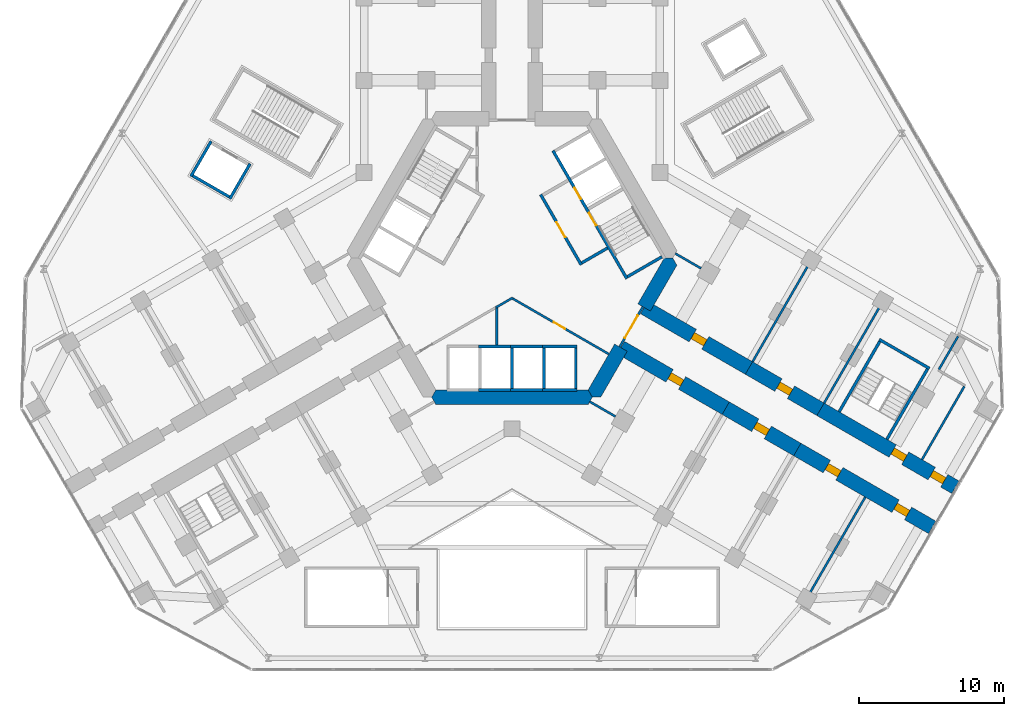
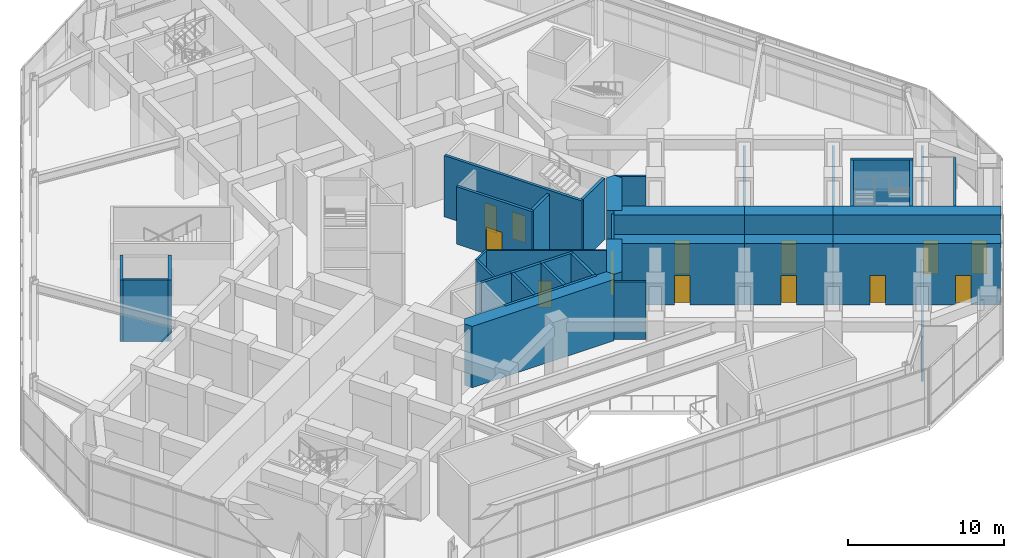
# One storey, part 16 of 22: 39 walls, 13 doors, 13 openings.
"""IFC4 building model written with IfcOpenShell, lengths in metres."""

from ifc_helpers import new_model, si_unit, direction, frame, frame_2d, origin, place, context, subcontext, project, spatial, polyline, rectangle, outline, extrude, material, layer, layer_set, type_object, element, fill, save


model = new_model("IFC4")

# Units and contexts
model_context = context("Model", 3, precision=1e-05, world=origin(), true_north=direction((0.0, 1.0)))
body_context = subcontext(model_context, "Body", "Model", "MODEL_VIEW")
ifc_project = project(units=[si_unit("LENGTHUNIT", "METRE"), si_unit("AREAUNIT", "SQUARE_METRE"), si_unit("VOLUMEUNIT", "CUBIC_METRE"), si_unit("PLANEANGLEUNIT", "RADIAN"), si_unit("MASSUNIT", "GRAM", prefix="KILO")], contexts=[model_context])

# Site, building, storey
site_placement = place(None, origin())
site = spatial("IfcSite", under=ifc_project, at=site_placement, CompositionType="ELEMENT")
building_placement = place(site_placement, origin())
building = spatial("IfcBuilding", under=site, at=building_placement, Name="Kosmar Iwan School Tower", CompositionType="ELEMENT")
storey_placement = place(building_placement, frame((0.0, 0.0, 15.60009765625)))
storey = spatial("IfcBuildingStorey", under=building, at=storey_placement, Name="L03", CompositionType="ELEMENT", Elevation=15.60009765625)

# Walls
ifc_material_1 = material(Name="Gypsum board on steel studs, fire-rated", Category="steel")
ifc_layer_1 = layer(ifc_material_1, 0.14990234375)
ifc_layer_set_1 = layer_set([ifc_layer_1], Name="Core room partition 150")
wall_type_1 = type_object("IfcWallType", Name="Core room partition 150", PredefinedType="PARTITIONING", material=ifc_layer_set_1)
wall_1_placement = place(storey_placement, frame((-1.046875, -6.0048828125, 0.0), z_axis=(0.0, 0.0, 1.0), x_axis=(0.0, 1.0, 0.0)))
element("IfcWall", 1, at=wall_1_placement, inside=storey, type_object=wall_type_1, Name="Core room partition L03-CW4", PredefinedType="PARTITIONING", context=body_context, shape_type="SweptSolid", body=[
    extrude(rectangle(XDim=2.704345703125, YDim=0.14990234375, at=frame_2d((1.35205078125, 0.0))), origin(), (0.0, 0.0, 1.0), 4.5),
])
wall_2_placement = place(storey_placement, frame((-1.11181640625, -3.4130859375, 0.0), z_axis=(0.0, 0.0, 1.0), x_axis=(0.866089843618, 0.499888370321, 0.0)))
element("IfcWall", 2, at=wall_2_placement, inside=storey, type_object=wall_type_1, Name="Core room partition L03-CW5", PredefinedType="PARTITIONING", context=body_context, shape_type="SweptSolid", body=[
    extrude(rectangle(XDim=1.358642578125, YDim=0.14990234375, at=frame_2d((0.67919921875, 0.0))), origin(), (0.0, 0.0, 1.0), 4.5),
])

# Wall, opening, door
wall_3_placement = place(storey_placement, frame((-0.06494140625, -2.73388671875, 0.0), z_axis=(0.0, 0.0, 1.0), x_axis=(0.866030469089, -0.499991226532, 0.0)))
wall_3 = element("IfcWall", 3, at=wall_3_placement, inside=storey, type_object=wall_type_1, Name="Core room partition L03-CW6", PredefinedType="PARTITIONING", context=body_context, shape_type="SweptSolid", body=[
    extrude(rectangle(XDim=7.784423828125, YDim=0.14990234375, at=frame_2d((3.89208984375, 0.0))), origin(), (0.0, 0.0, 1.0), 4.5),
])
opening_1_placement = place(wall_3_placement, frame((3.402099609375, 0.0, 0.0)))
opening_1 = element("IfcOpeningElement", 4, at=opening_1_placement, cuts=wall_3, Name="Opening D14", PredefinedType="OPENING", context=body_context, shape_type="SweptSolid", body=[
    extrude(rectangle(XDim=0.89990234375, YDim=2.10009765625, at=frame_2d((0.449951171875, 1.050048828125))), frame((0.0, 0.0869140625, 0.0), z_axis=(0.0, -1.0, 0.0), x_axis=(1.0, 0.0, 0.0)), (0.0, 0.0, 1.0), 0.173828125),
])
ifc_material_2 = material(Name="Timber fire door in steel frame", Category="steel")
door_type_1 = type_object("IfcDoorType", Name="Core room door 900x2100", OperationType="SINGLE_SWING_LEFT", PredefinedType="DOOR", material=ifc_material_2)
door_1_placement = place(opening_1_placement, origin())
door_1 = element("IfcDoor", 5, at=door_1_placement, inside=storey, type_object=door_type_1, Name="First aid room door L03 3", OperationType="SINGLE_SWING_LEFT", OverallHeight=2.10009765625, OverallWidth=0.89990234375, PredefinedType="DOOR", context=body_context, shape_type="SweptSolid", body=[
    extrude(rectangle(XDim=0.89990234375, YDim=2.10009765625, at=frame_2d((0.449951171875, 1.050048828125))), frame((0.0, 0.02490234375, 0.0), z_axis=(0.0, -1.0, 0.0), x_axis=(1.0, 0.0, 0.0)), (0.0, 0.0, 1.0), 0.050048828125),
])
fill(opening_1, door_1)

# Walls
ifc_material_3 = material(Name="Concrete C50/60", Category="concrete")
ifc_layer_2 = layer(ifc_material_3, 1.0)
ifc_layer_set_2 = layer_set([ifc_layer_2], Name="Core wall 1000")
wall_type_2 = type_object("IfcWallType", Name="Core wall 1000", PredefinedType="SHEAR", material=ifc_layer_set_2)
wall_4_placement = place(storey_placement, origin())
element("IfcWall", 6, at=wall_4_placement, inside=storey, type_object=wall_type_2, Name="Core wall F270", PredefinedType="SHEAR", context=body_context, shape_type="SweptSolid", body=[
    extrude(outline(polyline([(-5.25390625, -10.10009765625), (5.25390625, -10.10009765625), (5.54248046875, -9.60009765625), (5.25390625, -9.10009765625), (-5.25390625, -9.10009765625), (-5.54248046875, -9.60009765625), (-5.25390625, -10.10009765625)])), origin(), (0.0, 0.0, 1.0), 4.7998046875),
])
wall_5_placement = place(storey_placement, origin())
element("IfcWall", 7, at=wall_5_placement, inside=storey, type_object=wall_type_2, Name="Core wall F330a", PredefinedType="SHEAR", context=body_context, shape_type="SweptSolid", body=[
    extrude(outline(polyline([(5.54248046875, -9.60009765625), (6.119873046875, -9.60009765625), (7.94677734375, -6.435546875), (7.080810546875, -5.935546875), (5.25390625, -9.10009765625), (5.54248046875, -9.60009765625)])), origin(), (0.0, 0.0, 1.0), 4.7998046875),
])
wall_6_placement = place(storey_placement, origin())
element("IfcWall", 8, at=wall_6_placement, inside=storey, type_object=wall_type_2, Name="Core wall F330b", PredefinedType="SHEAR", context=body_context, shape_type="SweptSolid", body=[
    extrude(outline(polyline([(9.546875, -3.664306640625), (11.373779296875, -0.5), (11.085205078125, 0.0), (10.5078125, 0.0), (8.680908203125, -3.164306640625), (9.546875, -3.664306640625)])), origin(), (0.0, 0.0, 1.0), 4.7998046875),
])

# Wall, opening, door
ifc_material_4 = material(Name="Concrete C50/60", Category="concrete")
ifc_layer_3 = layer(ifc_material_4, 1.0)
ifc_layer_set_3 = layer_set([ifc_layer_3], Name="Corridor buttress wall 1000")
wall_type_3 = type_object("IfcWallType", Name="Corridor buttress wall 1000", PredefinedType="SHEAR", material=ifc_layer_set_3)
wall_7_placement = place(storey_placement, frame((9.11376953125, -3.414306640625, 0.0), z_axis=(0.0, 0.0, 1.0), x_axis=(0.866026859388, -0.499997478812, 0.0)))
wall_7 = element("IfcWall", 9, at=wall_7_placement, inside=storey, type_object=wall_type_3, Name="Corridor wall CL", PredefinedType="SHEAR", context=body_context, shape_type="SweptSolid", body=[
    extrude(rectangle(XDim=8.35009765625, YDim=1.0, at=frame_2d((4.175048828125, 0.0))), origin(), (0.0, 0.0, 1.0), 4.7998046875),
])
opening_2_placement = place(wall_7_placement, frame((3.875, 0.0, 0.0)))
opening_2 = element("IfcOpeningElement", 10, at=opening_2_placement, cuts=wall_7, Name="Opening D4", PredefinedType="OPENING", context=body_context, shape_type="SweptSolid", body=[
    extrude(rectangle(XDim=1.0, YDim=2.300048828125, at=frame_2d((0.5, 1.14990234375))), frame((0.0, 0.511962890625, 0.0), z_axis=(0.0, -1.0, 0.0), x_axis=(1.0, 0.0, 0.0)), (0.0, 0.0, 1.0), 1.02392578125),
])
ifc_material_5 = material(Name="Timber fire door with vision panel", Category="wood")
door_type_2 = type_object("IfcDoorType", Name="Classroom door 1000x2300", OperationType="SINGLE_SWING_LEFT", PredefinedType="DOOR", material=ifc_material_5)
door_2_placement = place(opening_2_placement, origin())
door_2 = element("IfcDoor", 11, at=door_2_placement, inside=storey, type_object=door_type_2, Name="Secondary classroom CL1 door L03-CL1", OperationType="SINGLE_SWING_RIGHT", OverallHeight=2.300048828125, OverallWidth=1.0, PredefinedType="DOOR", context=body_context, shape_type="SweptSolid", body=[
    extrude(rectangle(XDim=1.0, YDim=2.300048828125, at=frame_2d((0.5, 1.14990234375))), frame((0.0, 0.25, 0.0), z_axis=(0.0, -1.0, 0.0), x_axis=(1.0, 0.0, 0.0)), (0.0, 0.0, 1.0), 0.5),
])
fill(opening_2, door_2)

wall_8_placement = place(storey_placement, frame((16.34521484375, -7.58935546875, 0.0), z_axis=(0.0, 0.0, 1.0), x_axis=(0.866015111908, -0.50001782563, 0.0)))
wall_8 = element("IfcWall", 12, at=wall_8_placement, inside=storey, type_object=wall_type_3, Name="Corridor wall CL bay 2", PredefinedType="SHEAR", context=body_context, shape_type="SweptSolid", body=[
    extrude(rectangle(XDim=5.699951171875, YDim=1.0, at=frame_2d((2.85009765625, 0.0))), origin(), (0.0, 0.0, 1.0), 4.7998046875),
])
opening_3_placement = place(wall_8_placement, frame((2.35009765625, 0.0, 0.0)))
opening_3 = element("IfcOpeningElement", 13, at=opening_3_placement, cuts=wall_8, Name="Opening D4", PredefinedType="OPENING", context=body_context, shape_type="SweptSolid", body=[
    extrude(rectangle(XDim=1.0, YDim=2.300048828125, at=frame_2d((0.5, 1.14990234375))), frame((0.0, 0.511962890625, 0.0), z_axis=(0.0, -1.0, 0.0), x_axis=(1.0, 0.0, 0.0)), (0.0, 0.0, 1.0), 1.02392578125),
])
door_3_placement = place(opening_3_placement, origin())
door_3 = element("IfcDoor", 14, at=door_3_placement, inside=storey, type_object=door_type_2, Name="Secondary classroom CL2 door L03-CL2", OperationType="SINGLE_SWING_LEFT", OverallHeight=2.300048828125, OverallWidth=1.0, PredefinedType="DOOR", context=body_context, shape_type="SweptSolid", body=[
    extrude(rectangle(XDim=1.0, YDim=2.300048828125, at=frame_2d((0.5, 1.14990234375))), frame((0.0, 0.25, 0.0), z_axis=(0.0, -1.0, 0.0), x_axis=(1.0, 0.0, 0.0)), (0.0, 0.0, 1.0), 0.5),
])
fill(opening_3, door_3)

# Wall, openings, doors
wall_9_placement = place(storey_placement, frame((21.281494140625, -10.439453125, 0.0), z_axis=(0.0, 0.0, 1.0), x_axis=(0.866032345022, -0.499987977232, 0.0)))
wall_9 = element("IfcWall", 15, at=wall_9_placement, inside=storey, type_object=wall_type_3, Name="Corridor wall CL bay 3", PredefinedType="SHEAR", context=body_context, shape_type="SweptSolid", body=[
    extrude(rectangle(XDim=10.744873046875, YDim=1.0, at=frame_2d((5.37255859375, 0.0))), origin(), (0.0, 0.0, 1.0), 4.7998046875),
])
opening_4_placement = place(wall_9_placement, frame((5.75, 0.0, 0.0)))
opening_4 = element("IfcOpeningElement", 16, at=opening_4_placement, cuts=wall_9, Name="Opening D4", PredefinedType="OPENING", context=body_context, shape_type="SweptSolid", body=[
    extrude(rectangle(XDim=1.0, YDim=2.300048828125, at=frame_2d((0.5, 1.14990234375))), frame((0.0, 0.511962890625, 0.0), z_axis=(0.0, -1.0, 0.0), x_axis=(1.0, 0.0, 0.0)), (0.0, 0.0, 1.0), 1.02392578125),
])
opening_5_placement = place(wall_9_placement, frame((8.860107421875, 0.0, 0.0)))
opening_5 = element("IfcOpeningElement", 17, at=opening_5_placement, cuts=wall_9, Name="Opening D4", PredefinedType="OPENING", context=body_context, shape_type="SweptSolid", body=[
    extrude(rectangle(XDim=1.0, YDim=2.300048828125, at=frame_2d((0.5, 1.14990234375))), frame((0.0, 0.511962890625, 0.0), z_axis=(0.0, -1.0, 0.0), x_axis=(1.0, 0.0, 0.0)), (0.0, 0.0, 1.0), 1.02392578125),
])
door_4_placement = place(opening_4_placement, origin())
door_4 = element("IfcDoor", 18, at=door_4_placement, inside=storey, type_object=door_type_2, Name="Secondary classroom CL3 door L03-CL3", OperationType="SINGLE_SWING_LEFT", OverallHeight=2.300048828125, OverallWidth=1.0, PredefinedType="DOOR", context=body_context, shape_type="SweptSolid", body=[
    extrude(rectangle(XDim=1.0, YDim=2.300048828125, at=frame_2d((0.5, 1.14990234375))), frame((0.0, 0.25, 0.0), z_axis=(0.0, -1.0, 0.0), x_axis=(1.0, 0.0, 0.0)), (0.0, 0.0, 1.0), 0.5),
])
fill(opening_4, door_4)
door_5_placement = place(opening_5_placement, origin())
door_5 = element("IfcDoor", 19, at=door_5_placement, inside=storey, type_object=door_type_2, Name="Toilets door L03-CL4", OperationType="SINGLE_SWING_RIGHT", OverallHeight=2.300048828125, OverallWidth=1.0, PredefinedType="DOOR", context=body_context, shape_type="SweptSolid", body=[
    extrude(rectangle(XDim=1.0, YDim=2.300048828125, at=frame_2d((0.5, 1.14990234375))), frame((0.0, 0.25, 0.0), z_axis=(0.0, -1.0, 0.0), x_axis=(1.0, 0.0, 0.0)), (0.0, 0.0, 1.0), 0.5),
])
fill(opening_5, door_5)

# Wall, opening, door
wall_10_placement = place(storey_placement, frame((7.513916015625, -6.185546875, 0.0), z_axis=(0.0, 0.0, 1.0), x_axis=(0.866019549707, -0.500010139422, 0.0)))
wall_10 = element("IfcWall", 20, at=wall_10_placement, inside=storey, type_object=wall_type_3, Name="Corridor wall CR", PredefinedType="SHEAR", context=body_context, shape_type="SweptSolid", body=[
    extrude(rectangle(XDim=8.349853515625, YDim=1.0, at=frame_2d((4.1748046875, 0.0))), origin(), (0.0, 0.0, 1.0), 4.7998046875),
])
opening_6_placement = place(wall_10_placement, frame((3.875, 0.0, 0.0)))
opening_6 = element("IfcOpeningElement", 21, at=opening_6_placement, cuts=wall_10, Name="Opening D4", PredefinedType="OPENING", context=body_context, shape_type="SweptSolid", body=[
    extrude(rectangle(XDim=1.0, YDim=2.300048828125, at=frame_2d((0.5, 1.14990234375))), frame((0.0, 0.511962890625, 0.0), z_axis=(0.0, -1.0, 0.0), x_axis=(1.0, 0.0, 0.0)), (0.0, 0.0, 1.0), 1.02392578125),
])
door_6_placement = place(opening_6_placement, origin())
door_6 = element("IfcDoor", 22, at=door_6_placement, inside=storey, type_object=door_type_2, Name="Secondary classroom CR1 door L03-CR1", OperationType="SINGLE_SWING_RIGHT", OverallHeight=2.300048828125, OverallWidth=1.0, PredefinedType="DOOR", context=body_context, shape_type="SweptSolid", body=[
    extrude(rectangle(XDim=1.0, YDim=2.300048828125, at=frame_2d((0.5, 1.14990234375))), frame((0.0, 0.25, 0.0), z_axis=(0.0, -1.0, 0.0), x_axis=(1.0, 0.0, 0.0)), (0.0, 0.0, 1.0), 0.5),
])
fill(opening_6, door_6)

wall_11_placement = place(storey_placement, frame((14.7451171875, -10.360595703125, 0.0), z_axis=(0.0, 0.0, 1.0), x_axis=(0.866015111908, -0.50001782563, 0.0)))
wall_11 = element("IfcWall", 23, at=wall_11_placement, inside=storey, type_object=wall_type_3, Name="Corridor wall CR bay 2", PredefinedType="SHEAR", context=body_context, shape_type="SweptSolid", body=[
    extrude(rectangle(XDim=5.699951171875, YDim=1.0, at=frame_2d((2.85009765625, 0.0))), origin(), (0.0, 0.0, 1.0), 4.7998046875),
])
opening_7_placement = place(wall_11_placement, frame((2.35009765625, 0.0, 0.0)))
opening_7 = element("IfcOpeningElement", 24, at=opening_7_placement, cuts=wall_11, Name="Opening D4", PredefinedType="OPENING", context=body_context, shape_type="SweptSolid", body=[
    extrude(rectangle(XDim=1.0, YDim=2.300048828125, at=frame_2d((0.5, 1.14990234375))), frame((0.0, 0.511962890625, 0.0), z_axis=(0.0, -1.0, 0.0), x_axis=(1.0, 0.0, 0.0)), (0.0, 0.0, 1.0), 1.02392578125),
])
door_7_placement = place(opening_7_placement, origin())
door_7 = element("IfcDoor", 25, at=door_7_placement, inside=storey, type_object=door_type_2, Name="Secondary classroom CR2 door L03-CR2", OperationType="SINGLE_SWING_RIGHT", OverallHeight=2.300048828125, OverallWidth=1.0, PredefinedType="DOOR", context=body_context, shape_type="SweptSolid", body=[
    extrude(rectangle(XDim=1.0, YDim=2.300048828125, at=frame_2d((0.5, 1.14990234375))), frame((0.0, 0.25, 0.0), z_axis=(0.0, -1.0, 0.0), x_axis=(1.0, 0.0, 0.0)), (0.0, 0.0, 1.0), 0.5),
])
fill(opening_7, door_7)

# Wall, openings, doors
wall_12_placement = place(storey_placement, frame((19.681396484375, -13.210693359375, 0.0), z_axis=(0.0, 0.0, 1.0), x_axis=(0.866028186671, -0.499995179869, 0.0)))
wall_12 = element("IfcWall", 26, at=wall_12_placement, inside=storey, type_object=wall_type_3, Name="Corridor wall CR bay 3", PredefinedType="SHEAR", context=body_context, shape_type="SweptSolid", body=[
    extrude(rectangle(XDim=10.7451171875, YDim=1.0, at=frame_2d((5.37255859375, 0.0))), origin(), (0.0, 0.0, 1.0), 4.7998046875),
])
opening_8_placement = place(wall_12_placement, frame((2.35009765625, 0.0, 0.0)))
opening_8 = element("IfcOpeningElement", 27, at=opening_8_placement, cuts=wall_12, Name="Opening D4", PredefinedType="OPENING", context=body_context, shape_type="SweptSolid", body=[
    extrude(rectangle(XDim=1.0, YDim=2.300048828125, at=frame_2d((0.5, 1.14990234375))), frame((0.0, 0.511962890625, 0.0), z_axis=(0.0, -1.0, 0.0), x_axis=(1.0, 0.0, 0.0)), (0.0, 0.0, 1.0), 1.02392578125),
])
opening_9_placement = place(wall_12_placement, frame((7.824951171875, 0.0, 0.0)))
opening_9 = element("IfcOpeningElement", 28, at=opening_9_placement, cuts=wall_12, Name="Opening D4", PredefinedType="OPENING", context=body_context, shape_type="SweptSolid", body=[
    extrude(rectangle(XDim=1.0, YDim=2.300048828125, at=frame_2d((0.5, 1.14990234375))), frame((0.0, 0.511962890625, 0.0), z_axis=(0.0, -1.0, 0.0), x_axis=(1.0, 0.0, 0.0)), (0.0, 0.0, 1.0), 1.02392578125),
])
door_8_placement = place(opening_8_placement, origin())
door_8 = element("IfcDoor", 29, at=door_8_placement, inside=storey, type_object=door_type_2, Name="Secondary classroom CR3 door L03-CR3", OperationType="SINGLE_SWING_LEFT", OverallHeight=2.300048828125, OverallWidth=1.0, PredefinedType="DOOR", context=body_context, shape_type="SweptSolid", body=[
    extrude(rectangle(XDim=1.0, YDim=2.300048828125, at=frame_2d((0.5, 1.14990234375))), frame((0.0, 0.25, 0.0), z_axis=(0.0, -1.0, 0.0), x_axis=(1.0, 0.0, 0.0)), (0.0, 0.0, 1.0), 0.5),
])
fill(opening_8, door_8)
door_9_placement = place(opening_9_placement, origin())
door_9 = element("IfcDoor", 30, at=door_9_placement, inside=storey, type_object=door_type_2, Name="Toilets door L03-CR4", OperationType="SINGLE_SWING_RIGHT", OverallHeight=2.300048828125, OverallWidth=1.0, PredefinedType="DOOR", context=body_context, shape_type="SweptSolid", body=[
    extrude(rectangle(XDim=1.0, YDim=2.300048828125, at=frame_2d((0.5, 1.14990234375))), frame((0.0, 0.25, 0.0), z_axis=(0.0, -1.0, 0.0), x_axis=(1.0, 0.0, 0.0)), (0.0, 0.0, 1.0), 0.5),
])
fill(opening_9, door_9)

# Wall, opening, door
ifc_material_6 = material(Name="Steel framed glazed screen", Category="steel")
ifc_layer_4 = layer(ifc_material_6, 0.14990234375)
ifc_layer_set_4 = layer_set([ifc_layer_4], Name="Corridor screen wall 150")
wall_type_4 = type_object("IfcWallType", Name="Corridor screen wall 150", PredefinedType="PARTITIONING", material=ifc_layer_set_4)
wall_13_placement = place(storey_placement, frame((7.42724609375, -6.1357421875, 0.0), z_axis=(0.0, 0.0, 1.0), x_axis=(0.499995408039, 0.866028054938, 0.0)))
wall_13 = element("IfcWall", 31, at=wall_13_placement, inside=storey, type_object=wall_type_4, Name="Corridor screen C L03", PredefinedType="PARTITIONING", context=body_context, shape_type="SweptSolid", body=[
    extrude(rectangle(XDim=3.2001953125, YDim=0.14990234375, at=frame_2d((1.60009765625, 0.0))), origin(), (0.0, 0.0, 1.0), 4.5),
])
opening_10_placement = place(wall_13_placement, frame((0.699951171875, 0.0, 0.0)))
opening_10 = element("IfcOpeningElement", 32, at=opening_10_placement, cuts=wall_13, Name="Opening D9", PredefinedType="OPENING", context=body_context, shape_type="SweptSolid", body=[
    extrude(rectangle(XDim=1.800048828125, YDim=2.10009765625, at=frame_2d((0.89990234375, 1.050048828125))), frame((0.0, 0.0869140625, 0.0), z_axis=(0.0, -1.0, 0.0), x_axis=(1.0, 0.0, 0.0)), (0.0, 0.0, 1.0), 0.173828125),
])
ifc_material_7 = material(Name="Steel framed glazed smoke door", Category="steel")
door_type_3 = type_object("IfcDoorType", Name="Corridor smoke door pair 1800x2100", OperationType="DOUBLE_DOOR_DOUBLE_SWING", PredefinedType="DOOR", material=ifc_material_7)
door_10_placement = place(opening_10_placement, origin())
door_10 = element("IfcDoor", 33, at=door_10_placement, inside=storey, type_object=door_type_3, Name="Corridor doors C L03", OperationType="DOUBLE_DOOR_DOUBLE_SWING", OverallHeight=2.10009765625, OverallWidth=1.800048828125, PredefinedType="DOOR", context=body_context, shape_type="SweptSolid", body=[
    extrude(rectangle(XDim=1.800048828125, YDim=2.10009765625, at=frame_2d((0.89990234375, 1.050048828125))), frame((0.0, 0.02490234375, 0.0), z_axis=(0.0, -1.0, 0.0), x_axis=(1.0, 0.0, 0.0)), (0.0, 0.0, 1.0), 0.050048828125),
])
fill(opening_10, door_10)

# Walls
ifc_material_8 = material(Name="Concrete C35/45", Category="concrete")
ifc_layer_5 = layer(ifc_material_8, 0.199951171875)
ifc_layer_set_5 = layer_set([ifc_layer_5], Name="Escape stair wall 200")
wall_type_5 = type_object("IfcWallType", Name="Escape stair wall 200", PredefinedType="SHEAR", material=ifc_layer_set_5)
for number, where, z_axis, x_axis, name in (
    (34, (22.57080078125, -10.6064453125, 0.0), (0.0, 0.0, 1.0), (0.499987231761, 0.866032775405, 0.0), "Stair WS3 wall"),
    (35, (25.861572265625, -12.50634765625, 0.0), (0.0, 0.0, 1.0), (0.500018801468, 0.86601454848, 0.0), "Stair WS3 wall"),
):
    element("IfcWall", number, at=place(storey_placement, frame(where, z_axis=z_axis, x_axis=x_axis)), inside=storey, type_object=wall_type_5, Name=name, PredefinedType="SHEAR", context=body_context, shape_type="SweptSolid", body=[
        extrude(rectangle(XDim=5.800048828125, YDim=0.199951171875, at=frame_2d((2.89990234375, 0.0))), origin(), (0.0, 0.0, 1.0), 4.47998046875),
    ])
wall_14_placement = place(storey_placement, frame((25.334228515625, -5.6201171875, 0.0), z_axis=(0.0, 0.0, 1.0), x_axis=(0.866026010844, -0.49999894854, 0.0)))
element("IfcWall", 36, at=wall_14_placement, inside=storey, type_object=wall_type_5, Name="Stair WS3 wall", PredefinedType="SHEAR", context=body_context, shape_type="SweptSolid", body=[
    extrude(rectangle(XDim=4.0, YDim=0.199951171875, at=frame_2d((2.0, 0.0))), origin(), (0.0, 0.0, 1.0), 4.47998046875),
])

# Wall, opening, door
ifc_material_9 = material(Name="Concrete block masonry", Category="masonry")
ifc_layer_6 = layer(ifc_material_9, 0.199951171875)
ifc_layer_set_6 = layer_set([ifc_layer_6], Name="Fire lobby wall 200")
wall_type_6 = type_object("IfcWallType", Name="Fire lobby wall 200", PredefinedType="PARTITIONING", material=ifc_layer_set_6)
wall_15_placement = place(storey_placement, frame((4.777587890625, -0.474853515625, 0.0), z_axis=(0.0, 0.0, 1.0), x_axis=(-0.500016814911, 0.866015695474, 0.0)))
wall_15 = element("IfcWall", 37, at=wall_15_placement, inside=storey, type_object=wall_type_6, Name="Firefighting lobby wall ST1", PredefinedType="PARTITIONING", context=body_context, shape_type="SweptSolid", body=[
    extrude(rectangle(XDim=5.599853515625, YDim=0.199951171875, at=frame_2d((2.7998046875, 0.0))), origin(), (0.0, 0.0, 1.0), 4.5),
])
opening_11_placement = place(wall_15_placement, frame((2.199951171875, 0.0, 0.0)))
opening_11 = element("IfcOpeningElement", 38, at=opening_11_placement, cuts=wall_15, Name="Opening D7", PredefinedType="OPENING", context=body_context, shape_type="SweptSolid", body=[
    extrude(rectangle(XDim=1.199951171875, YDim=2.10009765625, at=frame_2d((0.60009765625, 1.050048828125))), frame((0.0, 0.112060546875, 0.0), z_axis=(0.0, -1.0, 0.0), x_axis=(1.0, 0.0, 0.0)), (0.0, 0.0, 1.0), 0.223876953125),
])
ifc_material_10 = material(Name="Steel fire door", Category="steel")
door_type_4 = type_object("IfcDoorType", Name="Fire lobby door 1200x2100", OperationType="SINGLE_SWING_LEFT", PredefinedType="DOOR", material=ifc_material_10)
door_11_placement = place(opening_11_placement, origin())
door_11 = element("IfcDoor", 39, at=door_11_placement, inside=storey, type_object=door_type_4, Name="Firefighting lobby door ST1 L03", OperationType="SINGLE_SWING_LEFT", OverallHeight=2.10009765625, OverallWidth=1.199951171875, PredefinedType="DOOR", context=body_context, shape_type="SweptSolid", body=[
    extrude(rectangle(XDim=1.199951171875, YDim=2.10009765625, at=frame_2d((0.60009765625, 1.050048828125))), frame((0.0, 0.02490234375, 0.0), z_axis=(0.0, -1.0, 0.0), x_axis=(1.0, 0.0, 0.0)), (0.0, 0.0, 1.0), 0.050048828125),
])
fill(opening_11, door_11)

# Wall
wall_16_placement = place(storey_placement, frame((4.814208984375, -0.33837890625, 0.0), z_axis=(0.0, 0.0, 1.0), x_axis=(0.865969381856, 0.500097020274, 0.0)))
element("IfcWall", 40, at=wall_16_placement, inside=storey, type_object=wall_type_6, Name="Firefighting lobby wall ST1", PredefinedType="PARTITIONING", context=body_context, shape_type="SweptSolid", body=[
    extrude(rectangle(XDim=2.0498046875, YDim=0.199951171875, at=frame_2d((1.02490234375, 0.0))), origin(), (0.0, 0.0, 1.0), 4.5),
])

# Wall, openings, doors
ifc_material_11 = material(Name="Concrete C50/60", Category="concrete")
ifc_layer_7 = layer(ifc_material_11, 0.199951171875)
ifc_layer_set_7 = layer_set([ifc_layer_7], Name="Lift shaft wall 200")
wall_type_7 = type_object("IfcWallType", Name="Lift shaft wall 200", PredefinedType="SHEAR", material=ifc_layer_set_7)
wall_17_placement = place(storey_placement, frame((7.926025390625, -1.42822265625, 0.0), z_axis=(0.0, 0.0, 1.0), x_axis=(-0.499998023675, 0.866026544813, 0.0)))
wall_17 = element("IfcWall", 41, at=wall_17_placement, inside=storey, type_object=wall_type_7, Name="Lift and stair front wall AC", PredefinedType="SHEAR", context=body_context, shape_type="SweptSolid", body=[
    extrude(rectangle(XDim=10.19970703125, YDim=0.199951171875, at=frame_2d((5.099853515625, 0.0))), origin(), (0.0, 0.0, 1.0), 4.7998046875),
])
opening_12_placement = place(wall_17_placement, frame((6.35009765625, 0.0, 0.0)))
opening_12 = element("IfcOpeningElement", 42, at=opening_12_placement, cuts=wall_17, Name="Opening LD2", PredefinedType="OPENING", context=body_context, shape_type="SweptSolid", body=[
    extrude(rectangle(XDim=0.89990234375, YDim=2.10009765625, at=frame_2d((0.449951171875, 1.050048828125))), frame((0.0, 0.112060546875, 0.0), z_axis=(0.0, -1.0, 0.0), x_axis=(1.0, 0.0, 0.0)), (0.0, 0.0, 1.0), 0.223876953125),
])
opening_13_placement = place(wall_17_placement, frame((4.22998046875, 0.0, 0.0)))
opening_13 = element("IfcOpeningElement", 43, at=opening_13_placement, cuts=wall_17, Name="Opening D6", PredefinedType="OPENING", context=body_context, shape_type="SweptSolid", body=[
    extrude(rectangle(XDim=1.0, YDim=2.10009765625, at=frame_2d((0.5, 1.050048828125))), frame((0.0, 0.112060546875, 0.0), z_axis=(0.0, -1.0, 0.0), x_axis=(1.0, 0.0, 0.0)), (0.0, 0.0, 1.0), 0.223876953125),
])
ifc_material_12 = material(Name="Stainless steel sliding lift door", Category="steel")
door_type_5 = type_object("IfcDoorType", Name="Firefighting lift landing door 900x2100", OperationType="SLIDING_TO_LEFT", PredefinedType="DOOR", material=ifc_material_12)
door_12_placement = place(opening_12_placement, origin())
door_12 = element("IfcDoor", 44, at=door_12_placement, inside=storey, type_object=door_type_5, Name="Lift FF1 landing door L03", OperationType="SLIDING_TO_LEFT", OverallHeight=2.10009765625, OverallWidth=0.89990234375, PredefinedType="DOOR", context=body_context, shape_type="SweptSolid", body=[
    extrude(rectangle(XDim=0.89990234375, YDim=2.10009765625, at=frame_2d((0.449951171875, 1.050048828125))), frame((0.0, 0.02490234375, 0.0), z_axis=(0.0, -1.0, 0.0), x_axis=(1.0, 0.0, 0.0)), (0.0, 0.0, 1.0), 0.050048828125),
])
fill(opening_12, door_12)
ifc_material_13 = material(Name="Steel fire door", Category="steel")
door_type_6 = type_object("IfcDoorType", Name="Stair door 1000x2100", OperationType="SINGLE_SWING_LEFT", PredefinedType="DOOR", material=ifc_material_13)
door_13_placement = place(opening_13_placement, origin())
door_13 = element("IfcDoor", 45, at=door_13_placement, inside=storey, type_object=door_type_6, Name="Stair ST1 door L03", OperationType="SINGLE_SWING_LEFT", OverallHeight=2.10009765625, OverallWidth=1.0, PredefinedType="DOOR", context=body_context, shape_type="SweptSolid", body=[
    extrude(rectangle(XDim=1.0, YDim=2.10009765625, at=frame_2d((0.5, 1.050048828125))), frame((0.0, 0.02490234375, 0.0), z_axis=(0.0, -1.0, 0.0), x_axis=(1.0, 0.0, 0.0)), (0.0, 0.0, 1.0), 0.050048828125),
])
fill(opening_13, door_13)

# Walls
for number, where, z_axis, x_axis, name in (
    (46, (-2.300048828125, -6.10009765625, 0.0), (0.0, 0.0, 1.0), (1.0, 0.0, 0.0), "Lift and stair front wall BC"),
    (47, (-2.300048828125, -9.10009765625, 0.0), (0.0, 0.0, 1.0), (1.0, 0.0, 0.0), "Lift and stair back wall BC"),
):
    element("IfcWall", number, at=place(storey_placement, frame(where, z_axis=z_axis, x_axis=x_axis)), inside=storey, type_object=wall_type_7, Name=name, PredefinedType="SHEAR", context=body_context, shape_type="SweptSolid", body=[
        extrude(rectangle(XDim=2.199951171875, YDim=0.199951171875, at=frame_2d((1.10009765625, 0.0))), origin(), (0.0, 0.0, 1.0), 4.7998046875),
    ])
for number, where, z_axis, x_axis, name in (
    (48, (-0.10009765625, -6.10009765625, 0.0), (0.0, 0.0, 1.0), (1.0, 0.0, 0.0), "Lift and stair front wall BC"),
    (49, (-0.10009765625, -9.10009765625, 0.0), (0.0, 0.0, 1.0), (1.0, 0.0, 0.0), "Lift and stair back wall BC"),
):
    element("IfcWall", number, at=place(storey_placement, frame(where, z_axis=z_axis, x_axis=x_axis)), inside=storey, type_object=wall_type_7, Name=name, PredefinedType="SHEAR", context=body_context, shape_type="SweptSolid", body=[
        extrude(rectangle(XDim=2.2001953125, YDim=0.199951171875, at=frame_2d((1.10009765625, 0.0))), origin(), (0.0, 0.0, 1.0), 4.7998046875),
    ])
for number, where, z_axis, x_axis, name in (
    (50, (2.10009765625, -6.10009765625, 0.0), (0.0, 0.0, 1.0), (1.0, 0.0, 0.0), "Lift and stair front wall BC"),
    (51, (2.10009765625, -9.10009765625, 0.0), (0.0, 0.0, 1.0), (1.0, 0.0, 0.0), "Lift and stair back wall BC"),
):
    element("IfcWall", number, at=place(storey_placement, frame(where, z_axis=z_axis, x_axis=x_axis)), inside=storey, type_object=wall_type_7, Name=name, PredefinedType="SHEAR", context=body_context, shape_type="SweptSolid", body=[
        extrude(rectangle(XDim=2.39990234375, YDim=0.199951171875, at=frame_2d((1.199951171875, 0.0))), origin(), (0.0, 0.0, 1.0), 4.7998046875),
    ])
for number, where, z_axis, x_axis, name in (
    (52, (0.0, -6.199951171875, 0.0), (0.0, 0.0, 1.0), (0.0, -1.0, 0.0), "Lift shaft wall BC 2"),
    (53, (2.199951171875, -6.199951171875, 0.0), (0.0, 0.0, 1.0), (0.0, -1.0, 0.0), "Lift shaft wall BC 3"),
    (54, (4.39990234375, -6.199951171875, 0.0), (0.0, 0.0, 1.0), (0.0, -1.0, 0.0), "Lift shaft wall BC 4"),
    (55, (-18.06787109375, 6.505615234375, 0.0), (0.0, 0.0, 1.0), (-0.49994636267, -0.866056369097, 0.0), "School lift SL2 shaft wall"),
    (56, (-20.75244140625, 8.055419921875, 0.0), (0.0, 0.0, 1.0), (-0.500049511043, -0.865996816683, 0.0), "School lift SL2 shaft wall"),
):
    element("IfcWall", number, at=place(storey_placement, frame(where, z_axis=z_axis, x_axis=x_axis)), inside=storey, type_object=wall_type_7, Name=name, PredefinedType="SHEAR", context=body_context, shape_type="SweptSolid", body=[
        extrude(rectangle(XDim=2.800048828125, YDim=0.199951171875, at=frame_2d((1.39990234375, 0.0))), origin(), (0.0, 0.0, 1.0), 4.7998046875),
    ])
wall_18_placement = place(storey_placement, frame((-19.50439453125, 4.21728515625, 0.0), z_axis=(0.0, 0.0, 1.0), x_axis=(-0.866032775405, 0.499987231761, 0.0)))
element("IfcWall", 57, at=wall_18_placement, inside=storey, type_object=wall_type_7, Name="School lift SL2 shaft wall", PredefinedType="SHEAR", context=body_context, shape_type="SweptSolid", body=[
    extrude(rectangle(XDim=2.89990234375, YDim=0.199951171875, at=frame_2d((1.449951171875, 0.0))), origin(), (0.0, 0.0, 1.0), 4.7998046875),
])
ifc_material_14 = material(Name="Gypsum board on steel studs", Category="steel")
ifc_layer_8 = layer(ifc_material_14, 0.14990234375)
ifc_layer_set_8 = layer_set([ifc_layer_8], Name="School partition 150")
wall_type_8 = type_object("IfcWallType", Name="School partition 150", PredefinedType="PARTITIONING", material=ifc_layer_set_8)
wall_19_placement = place(storey_placement, frame((11.263916015625, 0.3095703125, 0.0), z_axis=(0.0, 0.0, 1.0), x_axis=(0.865999163574, -0.500045446624, 0.0)))
element("IfcWall", 58, at=wall_19_placement, inside=storey, type_object=wall_type_8, Name="Partition L03-CL-NB", PredefinedType="PARTITIONING", context=body_context, shape_type="SweptSolid", body=[
    extrude(rectangle(XDim=2.050048828125, YDim=0.14990234375, at=frame_2d((1.02490234375, 0.0))), origin(), (0.0, 0.0, 1.0), 4.5),
])
for number, where, z_axis, x_axis, name in (
    (59, (16.59521484375, -7.15625, 0.0), (0.0, 0.0, 1.0), (0.500007509209, 0.866021068297, 0.0), "Partition L03-CL-X1"),
    (60, (21.531494140625, -10.00634765625, 0.0), (0.0, 0.0, 1.0), (0.500007509209, 0.866021068297, 0.0), "Partition L03-CL-X2"),
):
    element("IfcWall", number, at=place(storey_placement, frame(where, z_axis=z_axis, x_axis=x_axis)), inside=storey, type_object=wall_type_8, Name=name, PredefinedType="PARTITIONING", context=body_context, shape_type="SweptSolid", body=[
        extrude(rectangle(XDim=8.599853515625, YDim=0.14990234375, at=frame_2d((4.2998046875, 0.0))), origin(), (0.0, 0.0, 1.0), 3.5),
    ])
wall_20_placement = place(storey_placement, frame((29.44775390625, -7.69482421875, 0.0), z_axis=(0.0, 0.0, 1.0), x_axis=(0.500007957085, 0.86602080971, 0.0)))
element("IfcWall", 61, at=wall_20_placement, inside=storey, type_object=wall_type_8, Name="Partition L03-CL-X3", PredefinedType="PARTITIONING", context=body_context, shape_type="SweptSolid", body=[
    extrude(rectangle(XDim=2.64013671875, YDim=0.14990234375, at=frame_2d((1.320068359375, 0.0))), origin(), (0.0, 0.0, 1.0), 3.5),
])
wall_21_placement = place(storey_placement, frame((28.286376953125, -13.90625, 0.0), z_axis=(0.0, 0.0, 1.0), x_axis=(0.500019182438, 0.866014328516, 0.0)))
element("IfcWall", 62, at=wall_21_placement, inside=storey, type_object=wall_type_8, Name="Partition L03-CL-X3T", PredefinedType="PARTITIONING", context=body_context, shape_type="SweptSolid", body=[
    extrude(rectangle(XDim=5.840087890625, YDim=0.14990234375, at=frame_2d((2.919921875, 0.0))), origin(), (0.0, 0.0, 1.0), 4.5),
])
wall_22_placement = place(storey_placement, frame((5.36376953125, -9.909423828125, 0.0), z_axis=(0.0, 0.0, 1.0), x_axis=(0.865999163574, -0.500045446624, 0.0)))
element("IfcWall", 63, at=wall_22_placement, inside=storey, type_object=wall_type_8, Name="Partition L03-CR-NB", PredefinedType="PARTITIONING", context=body_context, shape_type="SweptSolid", body=[
    extrude(rectangle(XDim=2.050048828125, YDim=0.14990234375, at=frame_2d((1.02490234375, 0.0))), origin(), (0.0, 0.0, 1.0), 4.5),
])
wall_23_placement = place(storey_placement, frame((24.367919921875, -16.49365234375, 0.0), z_axis=(0.0, 0.0, 1.0), x_axis=(-0.500007509209, -0.866021068297, 0.0)))
element("IfcWall", 64, at=wall_23_placement, inside=storey, type_object=wall_type_8, Name="Partition L03-CR-X3", PredefinedType="PARTITIONING", context=body_context, shape_type="SweptSolid", body=[
    extrude(rectangle(XDim=8.599853515625, YDim=0.14990234375, at=frame_2d((4.2998046875, 0.0))), origin(), (0.0, 0.0, 1.0), 3.5),
])
ifc_material_15 = material(Name="Concrete C50/60", Category="concrete")
ifc_layer_9 = layer(ifc_material_15, 0.199951171875)
ifc_layer_set_9 = layer_set([ifc_layer_9], Name="Stair enclosure wall 200")
wall_type_9 = type_object("IfcWallType", Name="Stair enclosure wall 200", PredefinedType="SHEAR", material=ifc_layer_set_9)
wall_24_placement = place(storey_placement, frame((7.962646484375, -1.291748046875, 0.0), z_axis=(0.0, 0.0, 1.0), x_axis=(0.866027397988, 0.499996545922, 0.0)))
element("IfcWall", 65, at=wall_24_placement, inside=storey, type_object=wall_type_9, Name="Stair ST1 wall", PredefinedType="SHEAR", context=body_context, shape_type="SweptSolid", body=[
    extrude(rectangle(XDim=2.75, YDim=0.199951171875, at=frame_2d((1.375, 0.0))), origin(), (0.0, 0.0, 1.0), 4.7998046875),
])

save(model, "model.ifc")
